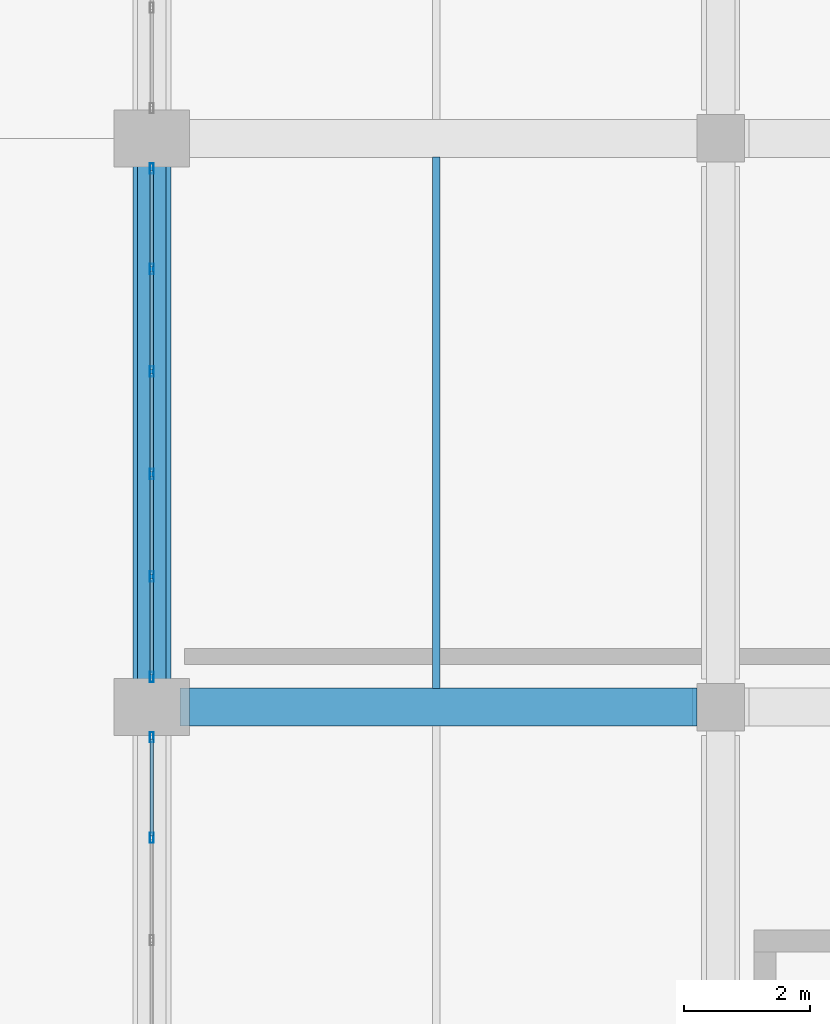
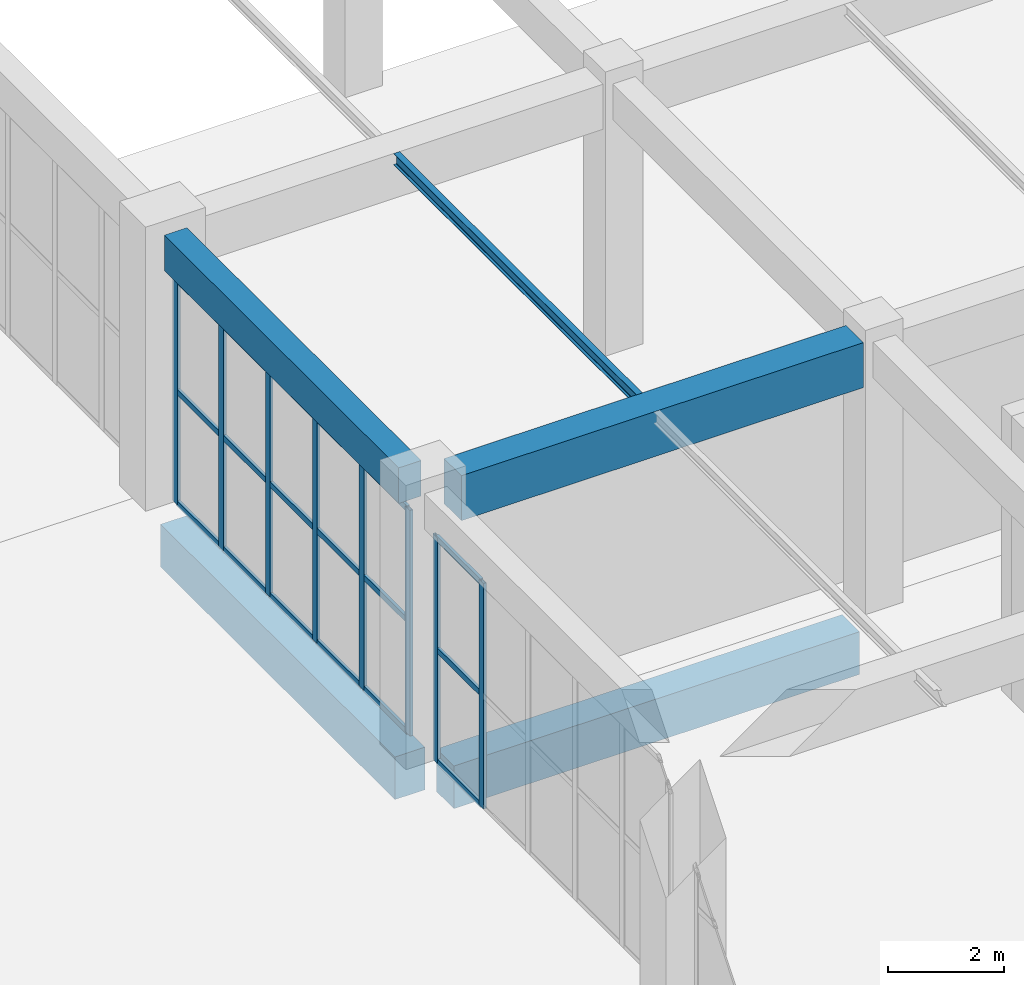
# One storey, part 41 of 91: 26 members, 5 beams, 2 elements without a shape of their own.
"""IFC4 building model written with IfcOpenShell, lengths in metres."""

from ifc_helpers import new_model, si_unit, direction, frame, origin, origin_2d, place, context, subcontext, project, spatial, rectangle, hollow_rectangle, i_section, extrude, material, layer, layer_set, material_profile, profile_set, type_object, element, aggregate, save


model = new_model("IFC4")

# Units and contexts
model_context = context("Model", 3, precision=1e-05, world=origin(), true_north=direction((0.0, 1.0)))
body_context = subcontext(model_context, "Body", "Model", "MODEL_VIEW")
ifc_project = project(units=[si_unit("LENGTHUNIT", "METRE"), si_unit("AREAUNIT", "SQUARE_METRE"), si_unit("VOLUMEUNIT", "CUBIC_METRE"), si_unit("PLANEANGLEUNIT", "RADIAN"), si_unit("MASSUNIT", "GRAM", prefix="KILO")], contexts=[model_context])

# Site, building, storey
site_placement = place(None, origin())
site = spatial("IfcSite", under=ifc_project, at=site_placement, CompositionType="ELEMENT")
building_placement = place(site_placement, origin())
building = spatial("IfcBuilding", under=site, at=building_placement, Name="Dornveld Trade and Exhibition Forum", CompositionType="ELEMENT")
storey_placement = place(building_placement, origin())
storey = spatial("IfcBuildingStorey", under=building, at=storey_placement, Name="L00", CompositionType="ELEMENT", Elevation=0.0)

# Beams
ifc_material_1 = material(Name="Concrete C40/50", Category="concrete")
ifc_material_profile_1 = material_profile(ifc_material_1, rectangle(XDim=0.60009765625, YDim=0.89990234375, at=origin_2d()), Name="RC-GB 600x900")
ifc_profile_set_1 = profile_set([ifc_material_profile_1], Name="Concrete C40/50")
beam_type_1 = type_object("IfcBeamType", Name="BM-GB-600x900", PredefinedType="BEAM", material=ifc_profile_set_1)
for number, where, z_axis, x_axis, name in (
    (1, (171.0, 126.446044921875, -0.830078125), (0.0, 1.0, 0.0), (-1.0, 0.0, 0.0), "L00 Y-girder 519"),
    (2, (171.446044921875, 126.0, -0.830078125), (1.0, 0.0, 0.0), (0.0, 1.0, 0.0), "L00 X-girder 532"),
):
    element("IfcBeam", number, at=place(storey_placement, frame(where, z_axis=z_axis, x_axis=x_axis)), inside=storey, type_object=beam_type_1, Name=name, PredefinedType="BEAM", context=body_context, shape_type="SweptSolid", body=[
        extrude(rectangle(XDim=0.60009765625, YDim=0.89990234375, at=origin_2d()), origin(), (0.0, 0.0, 1.0), 8.10791015625),
    ])
ifc_material_2 = material(Name="Steel S355J2", Category="steel")
ifc_material_profile_2 = material_profile(ifc_material_2, i_section(OverallWidth=0.1201171875, OverallDepth=0.239990234375, WebThickness=0.006103515625, FlangeThickness=0.009765625, FilletRadius=0.014892578125, at=origin_2d()), Name="IPE 240")
ifc_profile_set_2 = profile_set([ifc_material_profile_2], Name="Steel S355J2")
beam_type_2 = type_object("IfcBeamType", Name="BM-JOIST-240", PredefinedType="JOIST", material=ifc_profile_set_2)
beam_1_placement = place(storey_placement, frame((175.5, 126.297119140625, 5.580078125), z_axis=(0.0, 1.0, 0.0), x_axis=(-1.0, 0.0, 0.0)))
element("IfcBeam", 3, at=beam_1_placement, inside=storey, type_object=beam_type_2, Name="L00 secondary joist 1005", PredefinedType="JOIST", context=body_context, shape_type="SweptSolid", body=[
    extrude(i_section(OverallWidth=0.1201171875, OverallDepth=0.239990234375, WebThickness=0.006103515625, FlangeThickness=0.009765625, FilletRadius=0.014892578125, at=origin_2d()), origin(), (0.0, 0.0, 1.0), 8.40576171875),
])
ifc_material_3 = material(Name="Precast concrete C50/60", Category="concrete")
ifc_material_profile_3 = material_profile(ifc_material_3, rectangle(XDim=0.449951171875, YDim=0.75, at=origin_2d()), Name="PC-BM 450x750")
ifc_profile_set_3 = profile_set([ifc_material_profile_3], Name="Precast concrete C50/60")
beam_type_3 = type_object("IfcBeamType", Name="BM-PC-450x750", PredefinedType="BEAM", material=ifc_profile_set_3)
beam_2_placement = place(storey_placement, frame((171.0, 126.446044921875, 5.324951171875), z_axis=(0.0, 1.0, 0.0), x_axis=(-1.0, 0.0, 0.0)))
element("IfcBeam", 4, at=beam_2_placement, inside=storey, type_object=beam_type_3, Name="L00 Y-girder 981", PredefinedType="BEAM", context=body_context, shape_type="SweptSolid", body=[
    extrude(rectangle(XDim=0.449951171875, YDim=0.75, at=origin_2d()), origin(), (0.0, 0.0, 1.0), 8.10791015625),
])
ifc_material_4 = material(Name="Precast concrete C50/60", Category="concrete")
ifc_material_profile_4 = material_profile(ifc_material_4, rectangle(XDim=0.60009765625, YDim=0.949951171875, at=origin_2d()), Name="PC-GIR 600x950")
ifc_profile_set_4 = profile_set([ifc_material_profile_4], Name="Precast concrete C50/60")
beam_type_4 = type_object("IfcBeamType", Name="BM-PC-600x950", PredefinedType="T_BEAM", material=ifc_profile_set_4)
beam_3_placement = place(storey_placement, frame((171.595947265625, 126.0, 5.22509765625), z_axis=(1.0, 0.0, 0.0), x_axis=(0.0, 1.0, 0.0)))
element("IfcBeam", 5, at=beam_3_placement, inside=storey, type_object=beam_type_4, Name="L00 X-girder 964", PredefinedType="T_BEAM", context=body_context, shape_type="SweptSolid", body=[
    extrude(rectangle(XDim=0.60009765625, YDim=0.949951171875, at=origin_2d()), origin(), (0.0, 0.0, 1.0), 8.032958984375),
])

# Curtain wall, members
ifc_material_5 = material(Name="Dark-bronze anodised aluminium and low-E glass", Category="aluminium")
ifc_layer_1 = layer(ifc_material_5, 0.14794921875)
ifc_layer_set_1 = layer_set([ifc_layer_1], Name="Dark-bronze anodised aluminium and low-E glass")
curtain_wall_type_1 = type_object("IfcCurtainWallType", Name="CW-SYS-02", PredefinedType="USERDEFINED", material=ifc_layer_set_1)
curtain_wall_1_placement = place(storey_placement, origin())
curtain_wall_1 = element("IfcCurtainWall", 6, at=curtain_wall_1_placement, inside=storey, type_object=curtain_wall_type_1, Name="L00 unitised curtain wall 2", ObjectType="UNITISED_CURTAIN_WALL", PredefinedType="USERDEFINED")
ifc_material_6 = material(Name="Dark-bronze anodised aluminium", Category="aluminium")
ifc_material_profile_5 = material_profile(ifc_material_6, hollow_rectangle(XDim=0.06005859375, YDim=0.159912109375, WallThickness=0.00390625, at=origin_2d()), Name="RHS 160x60x4")
ifc_profile_set_5 = profile_set([ifc_material_profile_5], Name="Dark-bronze anodised aluminium")
member_type_1 = type_object("IfcMemberType", Name="CW-MUL-160", PredefinedType="MULLION", material=ifc_profile_set_5)
member_1_placement = place(storey_placement, frame((171.0, 123.932373046875, -0.00390625), z_axis=(0.0, 0.0, 1.0), x_axis=(-1.0, 0.0, 0.0)))
member_1 = element("IfcMember", 7, at=member_1_placement, type_object=member_type_1, Name="CW-02 mullion 5", PredefinedType="MULLION", context=body_context, shape_type="SweptSolid", body=[
    extrude(hollow_rectangle(XDim=0.06005859375, YDim=0.159912109375, WallThickness=0.00390625, at=origin_2d()), origin(), (0.0, 0.0, 1.0), 4.763916015625),
])
member_2_placement = place(storey_placement, frame((171.0, 125.52392578125, -0.00390625), z_axis=(0.0, 0.0, 1.0), x_axis=(-1.0, 0.0, 0.0)))
member_2 = element("IfcMember", 8, at=member_2_placement, type_object=member_type_1, Name="CW-02 mullion 6", PredefinedType="MULLION", context=body_context, shape_type="SweptSolid", body=[
    extrude(hollow_rectangle(XDim=0.06005859375, YDim=0.159912109375, WallThickness=0.00390625, at=origin_2d()), origin(), (0.0, 0.0, 1.0), 4.763916015625),
])

ifc_material_7 = material(Name="Dark-bronze anodised aluminium and low-E glass", Category="aluminium")
ifc_layer_2 = layer(ifc_material_7, 0.15087890625)
ifc_layer_set_2 = layer_set([ifc_layer_2], Name="Dark-bronze anodised aluminium and low-E glass")
curtain_wall_type_2 = type_object("IfcCurtainWallType", Name="CW-SYS-03", PredefinedType="USERDEFINED", material=ifc_layer_set_2)
curtain_wall_2_placement = place(storey_placement, origin())
curtain_wall_2 = element("IfcCurtainWall", 9, at=curtain_wall_2_placement, inside=storey, type_object=curtain_wall_type_2, Name="L00 unitised curtain wall 3", ObjectType="UNITISED_CURTAIN_WALL", PredefinedType="USERDEFINED")
member_3_placement = place(storey_placement, frame((171.0, 126.47607421875, -0.00390625), z_axis=(0.0, 0.0, 1.0), x_axis=(-1.0, 0.0, 0.0)))
member_3 = element("IfcMember", 10, at=member_3_placement, type_object=member_type_1, Name="CW-03 mullion 1", PredefinedType="MULLION", context=body_context, shape_type="SweptSolid", body=[
    extrude(hollow_rectangle(XDim=0.06005859375, YDim=0.159912109375, WallThickness=0.00390625, at=origin_2d()), origin(), (0.0, 0.0, 1.0), 4.763916015625),
])
member_4_placement = place(storey_placement, frame((171.0, 128.067626953125, -0.00390625), z_axis=(0.0, 0.0, 1.0), x_axis=(-1.0, 0.0, 0.0)))
member_4 = element("IfcMember", 11, at=member_4_placement, type_object=member_type_1, Name="CW-03 mullion 2", PredefinedType="MULLION", context=body_context, shape_type="SweptSolid", body=[
    extrude(hollow_rectangle(XDim=0.06005859375, YDim=0.159912109375, WallThickness=0.00390625, at=origin_2d()), origin(), (0.0, 0.0, 1.0), 4.763916015625),
])
member_5_placement = place(storey_placement, frame((171.0, 129.689208984375, -0.00390625), z_axis=(0.0, 0.0, 1.0), x_axis=(-1.0, 0.0, 0.0)))
member_5 = element("IfcMember", 12, at=member_5_placement, type_object=member_type_1, Name="CW-03 mullion 3", PredefinedType="MULLION", context=body_context, shape_type="SweptSolid", body=[
    extrude(hollow_rectangle(XDim=0.06005859375, YDim=0.159912109375, WallThickness=0.00390625, at=origin_2d()), origin(), (0.0, 0.0, 1.0), 4.763916015625),
])
member_6_placement = place(storey_placement, frame((171.0, 131.310791015625, -0.00390625), z_axis=(0.0, 0.0, 1.0), x_axis=(-1.0, 0.0, 0.0)))
member_6 = element("IfcMember", 13, at=member_6_placement, type_object=member_type_1, Name="CW-03 mullion 4", PredefinedType="MULLION", context=body_context, shape_type="SweptSolid", body=[
    extrude(hollow_rectangle(XDim=0.06005859375, YDim=0.159912109375, WallThickness=0.00390625, at=origin_2d()), origin(), (0.0, 0.0, 1.0), 4.763916015625),
])
member_7_placement = place(storey_placement, frame((171.0, 132.932373046875, -0.00390625), z_axis=(0.0, 0.0, 1.0), x_axis=(-1.0, 0.0, 0.0)))
member_7 = element("IfcMember", 14, at=member_7_placement, type_object=member_type_1, Name="CW-03 mullion 5", PredefinedType="MULLION", context=body_context, shape_type="SweptSolid", body=[
    extrude(hollow_rectangle(XDim=0.06005859375, YDim=0.159912109375, WallThickness=0.00390625, at=origin_2d()), origin(), (0.0, 0.0, 1.0), 4.763916015625),
])
member_8_placement = place(storey_placement, frame((171.0, 134.52392578125, -0.00390625), z_axis=(0.0, 0.0, 1.0), x_axis=(-1.0, 0.0, 0.0)))
member_8 = element("IfcMember", 15, at=member_8_placement, type_object=member_type_1, Name="CW-03 mullion 6", PredefinedType="MULLION", context=body_context, shape_type="SweptSolid", body=[
    extrude(hollow_rectangle(XDim=0.06005859375, YDim=0.159912109375, WallThickness=0.00390625, at=origin_2d()), origin(), (0.0, 0.0, 1.0), 4.763916015625),
])

# Member
ifc_material_8 = material(Name="Dark-bronze anodised aluminium", Category="aluminium")
ifc_material_profile_6 = material_profile(ifc_material_8, hollow_rectangle(XDim=0.06005859375, YDim=0.1201171875, WallThickness=0.00390625, at=origin_2d()), Name="RHS 120x60x4")
ifc_profile_set_6 = profile_set([ifc_material_profile_6], Name="Dark-bronze anodised aluminium")
member_type_2 = type_object("IfcMemberType", Name="CW-TRN-120", PredefinedType="USERDEFINED", material=ifc_profile_set_6)
member_9_placement = place(storey_placement, frame((171.0, 123.96240234375, 0.02587890625), z_axis=(0.0, 1.0, 0.0), x_axis=(-1.0, 0.0, 0.0)))
member_9 = element("IfcMember", 16, at=member_9_placement, type_object=member_type_2, Name="CW-02 transom 5.1", ObjectType="TRANSOM", PredefinedType="USERDEFINED", context=body_context, shape_type="SweptSolid", body=[
    extrude(hollow_rectangle(XDim=0.06005859375, YDim=0.1201171875, WallThickness=0.00390625, at=origin_2d()), origin(), (0.0, 0.0, 1.0), 1.531494140625),
])

member_10_placement = place(storey_placement, frame((171.0, 123.96240234375, 2.3779296875), z_axis=(0.0, 1.0, 0.0), x_axis=(-1.0, 0.0, 0.0)))
member_10 = element("IfcMember", 17, at=member_10_placement, type_object=member_type_2, Name="CW-02 transom 5.2", ObjectType="TRANSOM", PredefinedType="USERDEFINED", context=body_context, shape_type="SweptSolid", body=[
    extrude(hollow_rectangle(XDim=0.06005859375, YDim=0.1201171875, WallThickness=0.00390625, at=origin_2d()), origin(), (0.0, 0.0, 1.0), 1.531494140625),
])

member_11_placement = place(storey_placement, frame((171.0, 123.96240234375, 4.72998046875), z_axis=(0.0, 1.0, 0.0), x_axis=(-1.0, 0.0, 0.0)))
member_11 = element("IfcMember", 18, at=member_11_placement, type_object=member_type_2, Name="CW-02 transom 5.3", ObjectType="TRANSOM", PredefinedType="USERDEFINED", context=body_context, shape_type="SweptSolid", body=[
    extrude(hollow_rectangle(XDim=0.06005859375, YDim=0.1201171875, WallThickness=0.00390625, at=origin_2d()), origin(), (0.0, 0.0, 1.0), 1.531494140625),
])

aggregate(curtain_wall_1, [member_1, member_2, member_9, member_10, member_11])

member_12_placement = place(storey_placement, frame((171.0, 126.506103515625, 0.02587890625), z_axis=(0.0, 1.0, 0.0), x_axis=(-1.0, 0.0, 0.0)))
member_12 = element("IfcMember", 19, at=member_12_placement, type_object=member_type_2, Name="CW-03 transom 1.1", ObjectType="TRANSOM", PredefinedType="USERDEFINED", context=body_context, shape_type="SweptSolid", body=[
    extrude(hollow_rectangle(XDim=0.06005859375, YDim=0.1201171875, WallThickness=0.00390625, at=origin_2d()), origin(), (0.0, 0.0, 1.0), 1.531494140625),
])

member_13_placement = place(storey_placement, frame((171.0, 126.506103515625, 2.3779296875), z_axis=(0.0, 1.0, 0.0), x_axis=(-1.0, 0.0, 0.0)))
member_13 = element("IfcMember", 20, at=member_13_placement, type_object=member_type_2, Name="CW-03 transom 1.2", ObjectType="TRANSOM", PredefinedType="USERDEFINED", context=body_context, shape_type="SweptSolid", body=[
    extrude(hollow_rectangle(XDim=0.06005859375, YDim=0.1201171875, WallThickness=0.00390625, at=origin_2d()), origin(), (0.0, 0.0, 1.0), 1.531494140625),
])

member_14_placement = place(storey_placement, frame((171.0, 126.506103515625, 4.72998046875), z_axis=(0.0, 1.0, 0.0), x_axis=(-1.0, 0.0, 0.0)))
member_14 = element("IfcMember", 21, at=member_14_placement, type_object=member_type_2, Name="CW-03 transom 1.3", ObjectType="TRANSOM", PredefinedType="USERDEFINED", context=body_context, shape_type="SweptSolid", body=[
    extrude(hollow_rectangle(XDim=0.06005859375, YDim=0.1201171875, WallThickness=0.00390625, at=origin_2d()), origin(), (0.0, 0.0, 1.0), 1.531494140625),
])

member_15_placement = place(storey_placement, frame((171.0, 128.09765625, 0.02587890625), z_axis=(0.0, 1.0, 0.0), x_axis=(-1.0, 0.0, 0.0)))
member_15 = element("IfcMember", 22, at=member_15_placement, type_object=member_type_2, Name="CW-03 transom 2.1", ObjectType="TRANSOM", PredefinedType="USERDEFINED", context=body_context, shape_type="SweptSolid", body=[
    extrude(hollow_rectangle(XDim=0.06005859375, YDim=0.1201171875, WallThickness=0.00390625, at=origin_2d()), origin(), (0.0, 0.0, 1.0), 1.5615234375),
])

member_16_placement = place(storey_placement, frame((171.0, 128.09765625, 2.3779296875), z_axis=(0.0, 1.0, 0.0), x_axis=(-1.0, 0.0, 0.0)))
member_16 = element("IfcMember", 23, at=member_16_placement, type_object=member_type_2, Name="CW-03 transom 2.2", ObjectType="TRANSOM", PredefinedType="USERDEFINED", context=body_context, shape_type="SweptSolid", body=[
    extrude(hollow_rectangle(XDim=0.06005859375, YDim=0.1201171875, WallThickness=0.00390625, at=origin_2d()), origin(), (0.0, 0.0, 1.0), 1.5615234375),
])

member_17_placement = place(storey_placement, frame((171.0, 128.09765625, 4.72998046875), z_axis=(0.0, 1.0, 0.0), x_axis=(-1.0, 0.0, 0.0)))
member_17 = element("IfcMember", 24, at=member_17_placement, type_object=member_type_2, Name="CW-03 transom 2.3", ObjectType="TRANSOM", PredefinedType="USERDEFINED", context=body_context, shape_type="SweptSolid", body=[
    extrude(hollow_rectangle(XDim=0.06005859375, YDim=0.1201171875, WallThickness=0.00390625, at=origin_2d()), origin(), (0.0, 0.0, 1.0), 1.5615234375),
])

member_18_placement = place(storey_placement, frame((171.0, 129.71923828125, 0.02587890625), z_axis=(0.0, 1.0, 0.0), x_axis=(-1.0, 0.0, 0.0)))
member_18 = element("IfcMember", 25, at=member_18_placement, type_object=member_type_2, Name="CW-03 transom 3.1", ObjectType="TRANSOM", PredefinedType="USERDEFINED", context=body_context, shape_type="SweptSolid", body=[
    extrude(hollow_rectangle(XDim=0.06005859375, YDim=0.1201171875, WallThickness=0.00390625, at=origin_2d()), origin(), (0.0, 0.0, 1.0), 1.5615234375),
])

member_19_placement = place(storey_placement, frame((171.0, 129.71923828125, 2.3779296875), z_axis=(0.0, 1.0, 0.0), x_axis=(-1.0, 0.0, 0.0)))
member_19 = element("IfcMember", 26, at=member_19_placement, type_object=member_type_2, Name="CW-03 transom 3.2", ObjectType="TRANSOM", PredefinedType="USERDEFINED", context=body_context, shape_type="SweptSolid", body=[
    extrude(hollow_rectangle(XDim=0.06005859375, YDim=0.1201171875, WallThickness=0.00390625, at=origin_2d()), origin(), (0.0, 0.0, 1.0), 1.5615234375),
])

member_20_placement = place(storey_placement, frame((171.0, 129.71923828125, 4.72998046875), z_axis=(0.0, 1.0, 0.0), x_axis=(-1.0, 0.0, 0.0)))
member_20 = element("IfcMember", 27, at=member_20_placement, type_object=member_type_2, Name="CW-03 transom 3.3", ObjectType="TRANSOM", PredefinedType="USERDEFINED", context=body_context, shape_type="SweptSolid", body=[
    extrude(hollow_rectangle(XDim=0.06005859375, YDim=0.1201171875, WallThickness=0.00390625, at=origin_2d()), origin(), (0.0, 0.0, 1.0), 1.5615234375),
])

member_21_placement = place(storey_placement, frame((171.0, 131.3408203125, 0.02587890625), z_axis=(0.0, 1.0, 0.0), x_axis=(-1.0, 0.0, 0.0)))
member_21 = element("IfcMember", 28, at=member_21_placement, type_object=member_type_2, Name="CW-03 transom 4.1", ObjectType="TRANSOM", PredefinedType="USERDEFINED", context=body_context, shape_type="SweptSolid", body=[
    extrude(hollow_rectangle(XDim=0.06005859375, YDim=0.1201171875, WallThickness=0.00390625, at=origin_2d()), origin(), (0.0, 0.0, 1.0), 1.5615234375),
])

member_22_placement = place(storey_placement, frame((171.0, 131.3408203125, 2.3779296875), z_axis=(0.0, 1.0, 0.0), x_axis=(-1.0, 0.0, 0.0)))
member_22 = element("IfcMember", 29, at=member_22_placement, type_object=member_type_2, Name="CW-03 transom 4.2", ObjectType="TRANSOM", PredefinedType="USERDEFINED", context=body_context, shape_type="SweptSolid", body=[
    extrude(hollow_rectangle(XDim=0.06005859375, YDim=0.1201171875, WallThickness=0.00390625, at=origin_2d()), origin(), (0.0, 0.0, 1.0), 1.5615234375),
])

member_23_placement = place(storey_placement, frame((171.0, 131.3408203125, 4.72998046875), z_axis=(0.0, 1.0, 0.0), x_axis=(-1.0, 0.0, 0.0)))
member_23 = element("IfcMember", 30, at=member_23_placement, type_object=member_type_2, Name="CW-03 transom 4.3", ObjectType="TRANSOM", PredefinedType="USERDEFINED", context=body_context, shape_type="SweptSolid", body=[
    extrude(hollow_rectangle(XDim=0.06005859375, YDim=0.1201171875, WallThickness=0.00390625, at=origin_2d()), origin(), (0.0, 0.0, 1.0), 1.5615234375),
])

member_24_placement = place(storey_placement, frame((171.0, 132.96240234375, 0.02587890625), z_axis=(0.0, 1.0, 0.0), x_axis=(-1.0, 0.0, 0.0)))
member_24 = element("IfcMember", 31, at=member_24_placement, type_object=member_type_2, Name="CW-03 transom 5.1", ObjectType="TRANSOM", PredefinedType="USERDEFINED", context=body_context, shape_type="SweptSolid", body=[
    extrude(hollow_rectangle(XDim=0.06005859375, YDim=0.1201171875, WallThickness=0.00390625, at=origin_2d()), origin(), (0.0, 0.0, 1.0), 1.531494140625),
])

member_25_placement = place(storey_placement, frame((171.0, 132.96240234375, 2.3779296875), z_axis=(0.0, 1.0, 0.0), x_axis=(-1.0, 0.0, 0.0)))
member_25 = element("IfcMember", 32, at=member_25_placement, type_object=member_type_2, Name="CW-03 transom 5.2", ObjectType="TRANSOM", PredefinedType="USERDEFINED", context=body_context, shape_type="SweptSolid", body=[
    extrude(hollow_rectangle(XDim=0.06005859375, YDim=0.1201171875, WallThickness=0.00390625, at=origin_2d()), origin(), (0.0, 0.0, 1.0), 1.531494140625),
])

member_26_placement = place(storey_placement, frame((171.0, 132.96240234375, 4.72998046875), z_axis=(0.0, 1.0, 0.0), x_axis=(-1.0, 0.0, 0.0)))
member_26 = element("IfcMember", 33, at=member_26_placement, type_object=member_type_2, Name="CW-03 transom 5.3", ObjectType="TRANSOM", PredefinedType="USERDEFINED", context=body_context, shape_type="SweptSolid", body=[
    extrude(hollow_rectangle(XDim=0.06005859375, YDim=0.1201171875, WallThickness=0.00390625, at=origin_2d()), origin(), (0.0, 0.0, 1.0), 1.531494140625),
])

aggregate(curtain_wall_2, [member_3, member_4, member_5, member_6, member_7, member_8, member_12, member_13, member_14, member_15, member_16, member_17, member_18, member_19, member_20, member_21, member_22, member_23, member_24, member_25, member_26])

save(model, "model.ifc")
